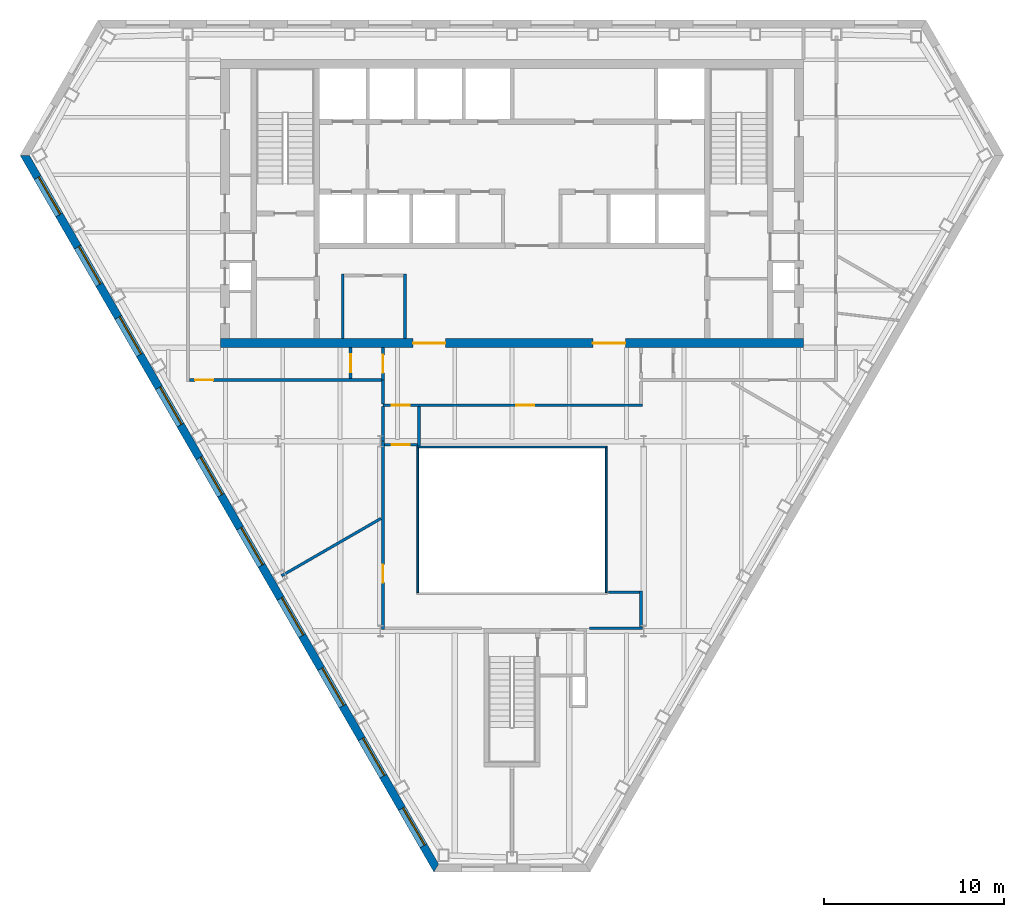
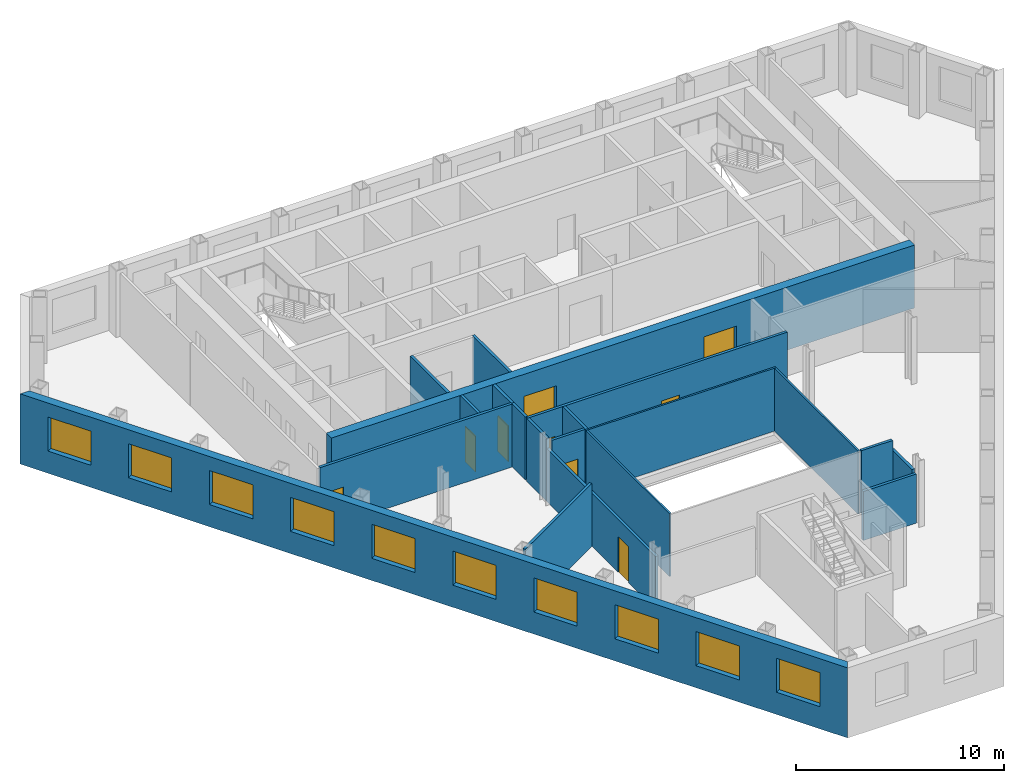
# One storey, part 4 of 10: 20 walls, 10 windows, 9 doors, 19 openings.
"""IFC4 building model written with IfcOpenShell, lengths in metres."""

from ifc_helpers import new_model, si_unit, direction, frame, frame_2d, origin, place, context, subcontext, project, spatial, polyline, rectangle, outline, extrude, material, layer, layer_set, type_object, element, fill, save


model = new_model("IFC4")

# Units and contexts
model_context = context("Model", 3, precision=1e-05, world=origin(), true_north=direction((0.0, 1.0)))
body_context = subcontext(model_context, "Body", "Model", "MODEL_VIEW")
ifc_project = project(units=[si_unit("LENGTHUNIT", "METRE"), si_unit("AREAUNIT", "SQUARE_METRE"), si_unit("VOLUMEUNIT", "CUBIC_METRE"), si_unit("PLANEANGLEUNIT", "RADIAN"), si_unit("MASSUNIT", "GRAM", prefix="KILO")], contexts=[model_context])

# Site, building, storey
site_placement = place(None, origin())
site = spatial("IfcSite", under=ifc_project, at=site_placement, CompositionType="ELEMENT")
building_placement = place(site_placement, origin())
building = spatial("IfcBuilding", under=site, at=building_placement, Name="Njiva Tower", CompositionType="ELEMENT")
storey_placement = place(building_placement, frame((0.0, 0.0, 159.3)))
storey = spatial("IfcBuildingStorey", under=building, at=storey_placement, Name="L34", CompositionType="ELEMENT", Elevation=159.3)

# Walls
ifc_material_1 = material(Name="Blockwork", Category="masonry")
ifc_layer_1 = layer(ifc_material_1, 0.15)
ifc_layer_set_1 = layer_set([ifc_layer_1], Name="Blockwork")
wall_type_1 = type_object("IfcWallType", Name="WT1 Compartment partition 150", PredefinedType="PARTITIONING", material=ifc_layer_set_1)
for number, where, z_axis, x_axis, name in (
    (1, (-9.4, 2.5, 0.0), (0.0, 0.0, 1.0), (0.0, 1.0, 0.0), "Information office wall west"),
    (2, (-5.95, 2.5, 0.0), (0.0, 0.0, 1.0), (0.0, 1.0, 0.0), "Information office wall east"),
):
    element("IfcWall", number, at=place(storey_placement, frame(where, z_axis=z_axis, x_axis=x_axis)), inside=storey, type_object=wall_type_1, Name=name, PredefinedType="PARTITIONING", context=body_context, shape_type="SweptSolid", body=[
        extrude(rectangle(XDim=3.575, YDim=0.15, at=frame_2d((1.7875, 0.0))), origin(), (0.0, 0.0, 1.0), 3.7),
    ])

# Wall, openings, doors
ifc_material_2 = material(Name="Concrete C60/75", Category="concrete")
ifc_layer_2 = layer(ifc_material_2, 0.5)
ifc_layer_set_2 = layer_set([ifc_layer_2], Name="Concrete C60/75")
wall_type_2 = type_object("IfcWallType", Name="WT13 Core wall 500", PredefinedType="SHEAR", material=ifc_layer_set_2)
wall_1_placement = place(storey_placement, frame((-16.2, 2.25, 0.0), z_axis=(0.0, 0.0, 1.0), x_axis=(1.0, 0.0, 0.0)))
wall_1 = element("IfcWall", 3, at=wall_1_placement, inside=storey, type_object=wall_type_2, Name="Core wall south", PredefinedType="SHEAR", context=body_context, shape_type="SweptSolid", body=[
    extrude(rectangle(XDim=32.4, YDim=0.5, at=frame_2d((16.2, 0.0))), origin(), (0.0, 0.0, 1.0), 3.7),
])
opening_1_placement = place(wall_1_placement, frame((10.7, 0.0, 0.0)))
opening_1 = element("IfcOpeningElement", 4, at=opening_1_placement, cuts=wall_1, Name="Opening S11-D934", PredefinedType="OPENING", context=body_context, shape_type="SweptSolid", body=[
    extrude(rectangle(XDim=1.8, YDim=2.4, at=frame_2d((0.9, 1.2))), frame((0.0, 0.26, 0.0), z_axis=(0.0, -1.0, 0.0), x_axis=(1.0, 0.0, 0.0)), (0.0, 0.0, 1.0), 0.52),
])
opening_2_placement = place(wall_1_placement, frame((20.7, 0.0, 0.0)))
opening_2 = element("IfcOpeningElement", 5, at=opening_2_placement, cuts=wall_1, Name="Opening S11-D935", PredefinedType="OPENING", context=body_context, shape_type="SweptSolid", body=[
    extrude(rectangle(XDim=1.8, YDim=2.4, at=frame_2d((0.9, 1.2))), frame((0.0, 0.26, 0.0), z_axis=(0.0, -1.0, 0.0), x_axis=(1.0, 0.0, 0.0)), (0.0, 0.0, 1.0), 0.52),
])
ifc_material_3 = material(Name="Steel and glass door", Category="steel")
door_type_1 = type_object("IfcDoorType", Name="D3 Core entrance door 1800x2400", OperationType="DOUBLE_DOOR_SINGLE_SWING", PredefinedType="DOOR", material=ifc_material_3)
door_1_placement = place(opening_1_placement, origin())
door_1 = element("IfcDoor", 6, at=door_1_placement, inside=storey, type_object=door_type_1, Name="Core entrance door", OperationType="DOUBLE_DOOR_SINGLE_SWING", OverallHeight=2.4, OverallWidth=1.8, PredefinedType="DOOR", context=body_context, shape_type="SweptSolid", body=[
    extrude(rectangle(XDim=1.8, YDim=2.4, at=frame_2d((0.9, 1.2))), frame((0.0, 0.025, 0.0), z_axis=(0.0, -1.0, 0.0), x_axis=(1.0, 0.0, 0.0)), (0.0, 0.0, 1.0), 0.05),
])
fill(opening_1, door_1)
door_2_placement = place(opening_2_placement, origin())
door_2 = element("IfcDoor", 7, at=door_2_placement, inside=storey, type_object=door_type_1, Name="Core entrance door", OperationType="DOUBLE_DOOR_SINGLE_SWING", OverallHeight=2.4, OverallWidth=1.8, PredefinedType="DOOR", context=body_context, shape_type="SweptSolid", body=[
    extrude(rectangle(XDim=1.8, YDim=2.4, at=frame_2d((0.9, 1.2))), frame((0.0, 0.025, 0.0), z_axis=(0.0, -1.0, 0.0), x_axis=(1.0, 0.0, 0.0)), (0.0, 0.0, 1.0), 0.05),
])
fill(opening_2, door_2)

# Wall, opening, door
ifc_material_4 = material(Name="Gypsum board on steel studs", Category="gypsum")
ifc_layer_3 = layer(ifc_material_4, 0.15)
ifc_layer_set_3 = layer_set([ifc_layer_3], Name="Gypsum board on steel studs")
wall_type_3 = type_object("IfcWallType", Name="WT21 Compartment wall 150", PredefinedType="PARTITIONING", material=ifc_layer_set_3)
wall_2_placement = place(storey_placement, frame((-17.925, 0.2, 0.0), z_axis=(0.0, 0.0, 1.0), x_axis=(1.0, 0.0, 0.0)))
wall_2 = element("IfcWall", 8, at=wall_2_placement, inside=storey, type_object=wall_type_3, Name="Partition S11-P004", PredefinedType="PARTITIONING", context=body_context, shape_type="SweptSolid", body=[
    extrude(rectangle(XDim=10.68, YDim=0.15, at=frame_2d((5.34, 0.0))), origin(), (0.0, 0.0, 1.0), 3.7),
])
opening_3_placement = place(wall_2_placement, frame((0.312, 0.0, 0.0)))
opening_3 = element("IfcOpeningElement", 9, at=opening_3_placement, cuts=wall_2, Name="Opening S11-D002", PredefinedType="OPENING", context=body_context, shape_type="SweptSolid", body=[
    extrude(rectangle(XDim=1.0, YDim=2.1, at=frame_2d((0.5, 1.05))), frame((0.0, 0.085, 0.0), z_axis=(0.0, -1.0, 0.0), x_axis=(1.0, 0.0, 0.0)), (0.0, 0.0, 1.0), 0.17),
])
ifc_material_5 = material(Name="Steel fire door set", Category="steel")
door_type_2 = type_object("IfcDoorType", Name="D37 Fire door 1000x2100", OperationType="SINGLE_SWING_LEFT", PredefinedType="DOOR", material=ifc_material_5)
door_3_placement = place(opening_3_placement, origin())
door_3 = element("IfcDoor", 10, at=door_3_placement, inside=storey, type_object=door_type_2, Name="Door S11-D002", OperationType="SINGLE_SWING_LEFT", OverallHeight=2.1, OverallWidth=1.0, PredefinedType="DOOR", context=body_context, shape_type="SweptSolid", body=[
    extrude(rectangle(XDim=1.0, YDim=2.1, at=frame_2d((0.5, 1.05))), frame((0.0, 0.025, 0.0), z_axis=(0.0, -1.0, 0.0), x_axis=(1.0, 0.0, 0.0)), (0.0, 0.0, 1.0), 0.05),
])
fill(opening_3, door_3)

# Wall
wall_3_placement = place(storey_placement, frame((-12.805, -10.684, 0.0), z_axis=(0.0, 0.0, 1.0), x_axis=(0.866073306909, 0.499917020175, 0.0)))
element("IfcWall", 11, at=wall_3_placement, inside=storey, type_object=wall_type_3, Name="Partition S11-P005", PredefinedType="PARTITIONING", context=body_context, shape_type="SweptSolid", body=[
    extrude(rectangle(XDim=6.3771, YDim=0.15, at=frame_2d((3.1886, 0.0))), origin(), (0.0, 0.0, 1.0), 3.7),
])

# Wall, opening, door
wall_4_placement = place(storey_placement, frame((-8.97, 0.275, 0.0), z_axis=(0.0, 0.0, 1.0), x_axis=(0.0, 1.0, 0.0)))
wall_4 = element("IfcWall", 12, at=wall_4_placement, inside=storey, type_object=wall_type_3, Name="Partition S11-P006", PredefinedType="PARTITIONING", context=body_context, shape_type="SweptSolid", body=[
    extrude(rectangle(XDim=1.725, YDim=0.15, at=frame_2d((0.8625, 0.0))), origin(), (0.0, 0.0, 1.0), 3.7),
])
opening_4_placement = place(wall_4_placement, frame((0.363, 0.0, 0.0)))
opening_4 = element("IfcOpeningElement", 13, at=opening_4_placement, cuts=wall_4, Name="Opening S11-D003", PredefinedType="OPENING", context=body_context, shape_type="SweptSolid", body=[
    extrude(rectangle(XDim=1.0, YDim=2.1, at=frame_2d((0.5, 1.05))), frame((0.0, 0.085, 0.0), z_axis=(0.0, -1.0, 0.0), x_axis=(1.0, 0.0, 0.0)), (0.0, 0.0, 1.0), 0.17),
])
door_4_placement = place(opening_4_placement, origin())
door_4 = element("IfcDoor", 14, at=door_4_placement, inside=storey, type_object=door_type_2, Name="Door S11-D003", OperationType="SINGLE_SWING_LEFT", OverallHeight=2.1, OverallWidth=1.0, PredefinedType="DOOR", context=body_context, shape_type="SweptSolid", body=[
    extrude(rectangle(XDim=1.0, YDim=2.1, at=frame_2d((0.5, 1.05))), frame((0.0, 0.025, 0.0), z_axis=(0.0, -1.0, 0.0), x_axis=(1.0, 0.0, 0.0)), (0.0, 0.0, 1.0), 0.05),
])
fill(opening_4, door_4)

wall_5_placement = place(storey_placement, frame((-7.17, -13.675, 0.0), z_axis=(0.0, 0.0, 1.0), x_axis=(0.0, 1.0, 0.0)))
wall_5 = element("IfcWall", 15, at=wall_5_placement, inside=storey, type_object=wall_type_3, Name="Partition S11-P007", PredefinedType="PARTITIONING", context=body_context, shape_type="SweptSolid", body=[
    extrude(rectangle(XDim=10.475, YDim=0.15, at=frame_2d((5.2375, 0.0))), origin(), (0.0, 0.0, 1.0), 3.11),
])
opening_5_placement = place(wall_5_placement, frame((2.608, 0.0, 0.0)))
opening_5 = element("IfcOpeningElement", 16, at=opening_5_placement, cuts=wall_5, Name="Opening S11-D004", PredefinedType="OPENING", context=body_context, shape_type="SweptSolid", body=[
    extrude(rectangle(XDim=1.0, YDim=2.1, at=frame_2d((0.5, 1.05))), frame((0.0, 0.085, 0.0), z_axis=(0.0, -1.0, 0.0), x_axis=(1.0, 0.0, 0.0)), (0.0, 0.0, 1.0), 0.17),
])
door_5_placement = place(opening_5_placement, origin())
door_5 = element("IfcDoor", 17, at=door_5_placement, inside=storey, type_object=door_type_2, Name="Door S11-D004", OperationType="SINGLE_SWING_RIGHT", OverallHeight=2.1, OverallWidth=1.0, PredefinedType="DOOR", context=body_context, shape_type="SweptSolid", body=[
    extrude(rectangle(XDim=1.0, YDim=2.1, at=frame_2d((0.5, 1.05))), frame((0.0, 0.025, 0.0), z_axis=(0.0, -1.0, 0.0), x_axis=(1.0, 0.0, 0.0)), (0.0, 0.0, 1.0), 0.05),
])
fill(opening_5, door_5)

# Wall
wall_6_placement = place(storey_placement, frame((-7.17, -3.2, 0.0), z_axis=(0.0, 0.0, 1.0), x_axis=(0.0, 1.0, 0.0)))
element("IfcWall", 18, at=wall_6_placement, inside=storey, type_object=wall_type_3, Name="Partition S11-P007A", PredefinedType="PARTITIONING", context=body_context, shape_type="SweptSolid", body=[
    extrude(rectangle(XDim=1.925, YDim=0.15, at=frame_2d((0.9625, 0.0))), origin(), (0.0, 0.0, 1.0), 3.7),
])

# Wall, openings, doors
wall_7_placement = place(storey_placement, frame((-7.17, -1.2, 0.0), z_axis=(0.0, 0.0, 1.0), x_axis=(1.0, 0.0, 0.0)))
wall_7 = element("IfcWall", 19, at=wall_7_placement, inside=storey, type_object=wall_type_3, Name="Partition S11-P008", PredefinedType="PARTITIONING", context=body_context, shape_type="SweptSolid", body=[
    extrude(rectangle(XDim=14.415, YDim=0.15, at=frame_2d((7.2075, 0.0))), origin(), (0.0, 0.0, 1.0), 3.7),
])
opening_6_placement = place(wall_7_placement, frame((0.5, 0.0, 0.0)))
opening_6 = element("IfcOpeningElement", 20, at=opening_6_placement, cuts=wall_7, Name="Opening S11-D005", PredefinedType="OPENING", context=body_context, shape_type="SweptSolid", body=[
    extrude(rectangle(XDim=1.0, YDim=2.1, at=frame_2d((0.5, 1.05))), frame((0.0, 0.085, 0.0), z_axis=(0.0, -1.0, 0.0), x_axis=(1.0, 0.0, 0.0)), (0.0, 0.0, 1.0), 0.17),
])
opening_7_placement = place(wall_7_placement, frame((7.42, 0.0, 0.0)))
opening_7 = element("IfcOpeningElement", 21, at=opening_7_placement, cuts=wall_7, Name="Opening S11-D006", PredefinedType="OPENING", context=body_context, shape_type="SweptSolid", body=[
    extrude(rectangle(XDim=1.0, YDim=2.1, at=frame_2d((0.5, 1.05))), frame((0.0, 0.085, 0.0), z_axis=(0.0, -1.0, 0.0), x_axis=(1.0, 0.0, 0.0)), (0.0, 0.0, 1.0), 0.17),
])
door_6_placement = place(opening_6_placement, origin())
door_6 = element("IfcDoor", 22, at=door_6_placement, inside=storey, type_object=door_type_2, Name="Door S11-D005", OperationType="SINGLE_SWING_RIGHT", OverallHeight=2.1, OverallWidth=1.0, PredefinedType="DOOR", context=body_context, shape_type="SweptSolid", body=[
    extrude(rectangle(XDim=1.0, YDim=2.1, at=frame_2d((0.5, 1.05))), frame((0.0, 0.025, 0.0), z_axis=(0.0, -1.0, 0.0), x_axis=(1.0, 0.0, 0.0)), (0.0, 0.0, 1.0), 0.05),
])
fill(opening_6, door_6)
door_7_placement = place(opening_7_placement, origin())
door_7 = element("IfcDoor", 23, at=door_7_placement, inside=storey, type_object=door_type_2, Name="Door S11-D006", OperationType="SINGLE_SWING_RIGHT", OverallHeight=2.1, OverallWidth=1.0, PredefinedType="DOOR", context=body_context, shape_type="SweptSolid", body=[
    extrude(rectangle(XDim=1.0, YDim=2.1, at=frame_2d((0.5, 1.05))), frame((0.0, 0.025, 0.0), z_axis=(0.0, -1.0, 0.0), x_axis=(1.0, 0.0, 0.0)), (0.0, 0.0, 1.0), 0.05),
])
fill(opening_7, door_7)

# Wall
wall_8_placement = place(storey_placement, frame((-7.17, -1.125, 0.0), z_axis=(0.0, 0.0, 1.0), x_axis=(0.0, 1.0, 0.0)))
element("IfcWall", 24, at=wall_8_placement, inside=storey, type_object=wall_type_3, Name="Partition S11-P009", PredefinedType="PARTITIONING", context=body_context, shape_type="SweptSolid", body=[
    extrude(rectangle(XDim=1.322, YDim=0.15, at=frame_2d((0.661, 0.0))), origin(), (0.0, 0.0, 1.0), 3.7),
])

# Wall, opening, door
wall_9_placement = place(storey_placement, frame((-7.17, 0.2, 0.0), z_axis=(0.0, 0.0, 1.0), x_axis=(0.0, 1.0, 0.0)))
wall_9 = element("IfcWall", 25, at=wall_9_placement, inside=storey, type_object=wall_type_3, Name="Partition S11-P010", PredefinedType="PARTITIONING", context=body_context, shape_type="SweptSolid", body=[
    extrude(rectangle(XDim=1.8, YDim=0.15, at=frame_2d((0.9, 0.0))), origin(), (0.0, 0.0, 1.0), 3.7),
])
opening_8_placement = place(wall_9_placement, frame((0.4, 0.0, 0.0)))
opening_8 = element("IfcOpeningElement", 26, at=opening_8_placement, cuts=wall_9, Name="Opening S11-D007", PredefinedType="OPENING", context=body_context, shape_type="SweptSolid", body=[
    extrude(rectangle(XDim=1.0, YDim=2.1, at=frame_2d((0.5, 1.05))), frame((0.0, 0.085, 0.0), z_axis=(0.0, -1.0, 0.0), x_axis=(1.0, 0.0, 0.0)), (0.0, 0.0, 1.0), 0.17),
])
door_8_placement = place(opening_8_placement, origin())
door_8 = element("IfcDoor", 27, at=door_8_placement, inside=storey, type_object=door_type_2, Name="Door S11-D007", OperationType="SINGLE_SWING_LEFT", OverallHeight=2.1, OverallWidth=1.0, PredefinedType="DOOR", context=body_context, shape_type="SweptSolid", body=[
    extrude(rectangle(XDim=1.0, YDim=2.1, at=frame_2d((0.5, 1.05))), frame((0.0, 0.025, 0.0), z_axis=(0.0, -1.0, 0.0), x_axis=(1.0, 0.0, 0.0)), (0.0, 0.0, 1.0), 0.05),
])
fill(opening_8, door_8)

wall_10_placement = place(storey_placement, frame((-7.095, -3.4, 0.0), z_axis=(0.0, 0.0, 1.0), x_axis=(1.0, 0.0, 0.0)))
wall_10 = element("IfcWall", 28, at=wall_10_placement, inside=storey, type_object=wall_type_3, Name="Partition S11-P012", PredefinedType="PARTITIONING", context=body_context, shape_type="SweptSolid", body=[
    extrude(rectangle(XDim=1.85, YDim=0.15, at=frame_2d((0.925, 0.0))), origin(), (0.0, 0.0, 1.0), 3.7),
])
opening_9_placement = place(wall_10_placement, frame((0.425, 0.0, 0.0)))
opening_9 = element("IfcOpeningElement", 29, at=opening_9_placement, cuts=wall_10, Name="Opening S11-D008", PredefinedType="OPENING", context=body_context, shape_type="SweptSolid", body=[
    extrude(rectangle(XDim=1.0, YDim=2.1, at=frame_2d((0.5, 1.05))), frame((0.0, 0.085, 0.0), z_axis=(0.0, -1.0, 0.0), x_axis=(1.0, 0.0, 0.0)), (0.0, 0.0, 1.0), 0.17),
])
door_9_placement = place(opening_9_placement, origin())
door_9 = element("IfcDoor", 30, at=door_9_placement, inside=storey, type_object=door_type_2, Name="Door S11-D008", OperationType="SINGLE_SWING_LEFT", OverallHeight=2.1, OverallWidth=1.0, PredefinedType="DOOR", context=body_context, shape_type="SweptSolid", body=[
    extrude(rectangle(XDim=1.0, YDim=2.1, at=frame_2d((0.5, 1.05))), frame((0.0, 0.025, 0.0), z_axis=(0.0, -1.0, 0.0), x_axis=(1.0, 0.0, 0.0)), (0.0, 0.0, 1.0), 0.05),
])
fill(opening_9, door_9)

# Walls
wall_11_placement = place(storey_placement, frame((-5.17, -3.48, 0.0), z_axis=(0.0, 0.0, 1.0), x_axis=(0.0, 1.0, 0.0)))
element("IfcWall", 31, at=wall_11_placement, inside=storey, type_object=wall_type_3, Name="Partition S11-P013", PredefinedType="PARTITIONING", context=body_context, shape_type="SweptSolid", body=[
    extrude(rectangle(XDim=2.205, YDim=0.15, at=frame_2d((1.1025, 0.0))), origin(), (0.0, 0.0, 1.0), 3.7),
])
wall_12_placement = place(storey_placement, frame((4.3, -13.6, 0.0), z_axis=(0.0, 0.0, 1.0), x_axis=(1.0, 0.0, 0.0)))
element("IfcWall", 32, at=wall_12_placement, inside=storey, type_object=wall_type_3, Name="Partition S11-P015", PredefinedType="PARTITIONING", context=body_context, shape_type="SweptSolid", body=[
    extrude(rectangle(XDim=2.945, YDim=0.15, at=frame_2d((1.4725, 0.0))), origin(), (0.0, 0.0, 1.0), 2.886),
])
wall_13_placement = place(storey_placement, frame((5.355, -11.6, 0.0), z_axis=(0.0, 0.0, 1.0), x_axis=(1.0, 0.0, 0.0)))
element("IfcWall", 33, at=wall_13_placement, inside=storey, type_object=wall_type_3, Name="Partition S11-P016", PredefinedType="PARTITIONING", context=body_context, shape_type="SweptSolid", body=[
    extrude(rectangle(XDim=1.74, YDim=0.15, at=frame_2d((0.87, 0.0))), origin(), (0.0, 0.0, 1.0), 3.7),
])
wall_14_placement = place(storey_placement, frame((7.17, -13.525, 0.0), z_axis=(0.0, 0.0, 1.0), x_axis=(0.0, 1.0, 0.0)))
element("IfcWall", 34, at=wall_14_placement, inside=storey, type_object=wall_type_3, Name="Partition S11-P017", PredefinedType="PARTITIONING", context=body_context, shape_type="SweptSolid", body=[
    extrude(rectangle(XDim=2.0, YDim=0.15, at=frame_2d((1.0, 0.0))), origin(), (0.0, 0.0, 1.0), 3.11),
])

# Wall, openings, windows
ifc_material_6 = material(Name="Brick masonry", Category="masonry")
ifc_layer_4 = layer(ifc_material_6, 0.45)
ifc_layer_set_4 = layer_set([ifc_layer_4], Name="Brick masonry")
wall_type_4 = type_object("IfcWallType", Name="WT90 Brick pier and spandrel wall 450", PredefinedType="SOLIDWALL", material=ifc_layer_set_4)
wall_15_placement = place(storey_placement, frame((-27.0752, 12.6829, -0.4), z_axis=(0.0, 0.0, 1.0), x_axis=(0.500000141277, -0.866025322218, 0.0)))
wall_15 = element("IfcWall", 35, at=wall_15_placement, inside=storey, type_object=wall_type_4, Name="Facade wall SW", PredefinedType="SOLIDWALL", context=body_context, shape_type="SweptSolid", body=[
    extrude(outline(polyline([(-0.1299, -0.225), (45.8601, -0.225), (45.6003, 0.225), (0.1299, 0.225), (-0.1299, -0.225)])), origin(), (0.0, 0.0, 1.0), 4.12),
])
opening_10_placement = place(wall_15_placement, frame((1.4237, 0.0, 1.3)))
opening_10 = element("IfcOpeningElement", 36, at=opening_10_placement, cuts=wall_15, Name="Opening S11-W12", PredefinedType="OPENING", context=body_context, shape_type="SweptSolid", body=[
    extrude(rectangle(XDim=2.4, YDim=2.0, at=frame_2d((1.2, 1.0))), frame((0.0, 0.235, 0.0), z_axis=(0.0, -1.0, 0.0), x_axis=(1.0, 0.0, 0.0)), (0.0, 0.0, 1.0), 0.47),
])
opening_11_placement = place(wall_15_placement, frame((5.8919, 0.0, 1.3)))
opening_11 = element("IfcOpeningElement", 37, at=opening_11_placement, cuts=wall_15, Name="Opening S11-W13", PredefinedType="OPENING", context=body_context, shape_type="SweptSolid", body=[
    extrude(rectangle(XDim=2.4, YDim=2.0, at=frame_2d((1.2, 1.0))), frame((0.0, 0.235, 0.0), z_axis=(0.0, -1.0, 0.0), x_axis=(1.0, 0.0, 0.0)), (0.0, 0.0, 1.0), 0.47),
])
opening_12_placement = place(wall_15_placement, frame((10.3985, 0.0, 1.3)))
opening_12 = element("IfcOpeningElement", 38, at=opening_12_placement, cuts=wall_15, Name="Opening S11-W14", PredefinedType="OPENING", context=body_context, shape_type="SweptSolid", body=[
    extrude(rectangle(XDim=2.4, YDim=2.0, at=frame_2d((1.2, 1.0))), frame((0.0, 0.235, 0.0), z_axis=(0.0, -1.0, 0.0), x_axis=(1.0, 0.0, 0.0)), (0.0, 0.0, 1.0), 0.47),
])
opening_13_placement = place(wall_15_placement, frame((14.9052, 0.0, 1.3)))
opening_13 = element("IfcOpeningElement", 39, at=opening_13_placement, cuts=wall_15, Name="Opening S11-W15", PredefinedType="OPENING", context=body_context, shape_type="SweptSolid", body=[
    extrude(rectangle(XDim=2.4, YDim=2.0, at=frame_2d((1.2, 1.0))), frame((0.0, 0.235, 0.0), z_axis=(0.0, -1.0, 0.0), x_axis=(1.0, 0.0, 0.0)), (0.0, 0.0, 1.0), 0.47),
])
opening_14_placement = place(wall_15_placement, frame((19.4118, 0.0, 1.3)))
opening_14 = element("IfcOpeningElement", 40, at=opening_14_placement, cuts=wall_15, Name="Opening S11-W16", PredefinedType="OPENING", context=body_context, shape_type="SweptSolid", body=[
    extrude(rectangle(XDim=2.4, YDim=2.0, at=frame_2d((1.2, 1.0))), frame((0.0, 0.235, 0.0), z_axis=(0.0, -1.0, 0.0), x_axis=(1.0, 0.0, 0.0)), (0.0, 0.0, 1.0), 0.47),
])
opening_15_placement = place(wall_15_placement, frame((23.9184, 0.0, 1.3)))
opening_15 = element("IfcOpeningElement", 41, at=opening_15_placement, cuts=wall_15, Name="Opening S11-W17", PredefinedType="OPENING", context=body_context, shape_type="SweptSolid", body=[
    extrude(rectangle(XDim=2.4, YDim=2.0, at=frame_2d((1.2, 1.0))), frame((0.0, 0.235, 0.0), z_axis=(0.0, -1.0, 0.0), x_axis=(1.0, 0.0, 0.0)), (0.0, 0.0, 1.0), 0.47),
])
opening_16_placement = place(wall_15_placement, frame((28.425, 0.0, 1.3)))
opening_16 = element("IfcOpeningElement", 42, at=opening_16_placement, cuts=wall_15, Name="Opening S11-W18", PredefinedType="OPENING", context=body_context, shape_type="SweptSolid", body=[
    extrude(rectangle(XDim=2.4, YDim=2.0, at=frame_2d((1.2, 1.0))), frame((0.0, 0.235, 0.0), z_axis=(0.0, -1.0, 0.0), x_axis=(1.0, 0.0, 0.0)), (0.0, 0.0, 1.0), 0.47),
])
opening_17_placement = place(wall_15_placement, frame((32.9316, 0.0, 1.3)))
opening_17 = element("IfcOpeningElement", 43, at=opening_17_placement, cuts=wall_15, Name="Opening S11-W19", PredefinedType="OPENING", context=body_context, shape_type="SweptSolid", body=[
    extrude(rectangle(XDim=2.4, YDim=2.0, at=frame_2d((1.2, 1.0))), frame((0.0, 0.235, 0.0), z_axis=(0.0, -1.0, 0.0), x_axis=(1.0, 0.0, 0.0)), (0.0, 0.0, 1.0), 0.47),
])
opening_18_placement = place(wall_15_placement, frame((37.4383, 0.0, 1.3)))
opening_18 = element("IfcOpeningElement", 44, at=opening_18_placement, cuts=wall_15, Name="Opening S11-W20", PredefinedType="OPENING", context=body_context, shape_type="SweptSolid", body=[
    extrude(rectangle(XDim=2.4, YDim=2.0, at=frame_2d((1.2, 1.0))), frame((0.0, 0.235, 0.0), z_axis=(0.0, -1.0, 0.0), x_axis=(1.0, 0.0, 0.0)), (0.0, 0.0, 1.0), 0.47),
])
opening_19_placement = place(wall_15_placement, frame((41.9065, 0.0, 1.3)))
opening_19 = element("IfcOpeningElement", 45, at=opening_19_placement, cuts=wall_15, Name="Opening S11-W21", PredefinedType="OPENING", context=body_context, shape_type="SweptSolid", body=[
    extrude(rectangle(XDim=2.4, YDim=2.0, at=frame_2d((1.2, 1.0))), frame((0.0, 0.235, 0.0), z_axis=(0.0, -1.0, 0.0), x_axis=(1.0, 0.0, 0.0)), (0.0, 0.0, 1.0), 0.47),
])
ifc_material_7 = material(Name="Clear glazing in aluminium frame", Category="aluminium")
window_type = type_object("IfcWindowType", Name="W90 Deep-set window 2400x2000", PartitioningType="SINGLE_PANEL", PredefinedType="WINDOW", material=ifc_material_7)
window_1_placement = place(opening_10_placement, origin())
window_1 = element("IfcWindow", 46, at=window_1_placement, inside=storey, type_object=window_type, Name="Window", OverallHeight=2.0, OverallWidth=2.4, PartitioningType="SINGLE_PANEL", PredefinedType="WINDOW", context=body_context, shape_type="SweptSolid", body=[
    extrude(rectangle(XDim=2.4, YDim=2.0, at=frame_2d((1.2, 1.0))), frame((0.0, 0.105, 0.0), z_axis=(0.0, -1.0, 0.0), x_axis=(1.0, 0.0, 0.0)), (0.0, 0.0, 1.0), 0.06),
])
fill(opening_10, window_1)
window_2_placement = place(opening_11_placement, origin())
window_2 = element("IfcWindow", 47, at=window_2_placement, inside=storey, type_object=window_type, Name="Window", OverallHeight=2.0, OverallWidth=2.4, PartitioningType="SINGLE_PANEL", PredefinedType="WINDOW", context=body_context, shape_type="SweptSolid", body=[
    extrude(rectangle(XDim=2.4, YDim=2.0, at=frame_2d((1.2, 1.0))), frame((0.0, 0.105, 0.0), z_axis=(0.0, -1.0, 0.0), x_axis=(1.0, 0.0, 0.0)), (0.0, 0.0, 1.0), 0.06),
])
fill(opening_11, window_2)
window_3_placement = place(opening_12_placement, origin())
window_3 = element("IfcWindow", 48, at=window_3_placement, inside=storey, type_object=window_type, Name="Window", OverallHeight=2.0, OverallWidth=2.4, PartitioningType="SINGLE_PANEL", PredefinedType="WINDOW", context=body_context, shape_type="SweptSolid", body=[
    extrude(rectangle(XDim=2.4, YDim=2.0, at=frame_2d((1.2, 1.0))), frame((0.0, 0.105, 0.0), z_axis=(0.0, -1.0, 0.0), x_axis=(1.0, 0.0, 0.0)), (0.0, 0.0, 1.0), 0.06),
])
fill(opening_12, window_3)
window_4_placement = place(opening_13_placement, origin())
window_4 = element("IfcWindow", 49, at=window_4_placement, inside=storey, type_object=window_type, Name="Window", OverallHeight=2.0, OverallWidth=2.4, PartitioningType="SINGLE_PANEL", PredefinedType="WINDOW", context=body_context, shape_type="SweptSolid", body=[
    extrude(rectangle(XDim=2.4, YDim=2.0, at=frame_2d((1.2, 1.0))), frame((0.0, 0.105, 0.0), z_axis=(0.0, -1.0, 0.0), x_axis=(1.0, 0.0, 0.0)), (0.0, 0.0, 1.0), 0.06),
])
fill(opening_13, window_4)
window_5_placement = place(opening_14_placement, origin())
window_5 = element("IfcWindow", 50, at=window_5_placement, inside=storey, type_object=window_type, Name="Window", OverallHeight=2.0, OverallWidth=2.4, PartitioningType="SINGLE_PANEL", PredefinedType="WINDOW", context=body_context, shape_type="SweptSolid", body=[
    extrude(rectangle(XDim=2.4, YDim=2.0, at=frame_2d((1.2, 1.0))), frame((0.0, 0.105, 0.0), z_axis=(0.0, -1.0, 0.0), x_axis=(1.0, 0.0, 0.0)), (0.0, 0.0, 1.0), 0.06),
])
fill(opening_14, window_5)
window_6_placement = place(opening_15_placement, origin())
window_6 = element("IfcWindow", 51, at=window_6_placement, inside=storey, type_object=window_type, Name="Window", OverallHeight=2.0, OverallWidth=2.4, PartitioningType="SINGLE_PANEL", PredefinedType="WINDOW", context=body_context, shape_type="SweptSolid", body=[
    extrude(rectangle(XDim=2.4, YDim=2.0, at=frame_2d((1.2, 1.0))), frame((0.0, 0.105, 0.0), z_axis=(0.0, -1.0, 0.0), x_axis=(1.0, 0.0, 0.0)), (0.0, 0.0, 1.0), 0.06),
])
fill(opening_15, window_6)
window_7_placement = place(opening_16_placement, origin())
window_7 = element("IfcWindow", 52, at=window_7_placement, inside=storey, type_object=window_type, Name="Window", OverallHeight=2.0, OverallWidth=2.4, PartitioningType="SINGLE_PANEL", PredefinedType="WINDOW", context=body_context, shape_type="SweptSolid", body=[
    extrude(rectangle(XDim=2.4, YDim=2.0, at=frame_2d((1.2, 1.0))), frame((0.0, 0.105, 0.0), z_axis=(0.0, -1.0, 0.0), x_axis=(1.0, 0.0, 0.0)), (0.0, 0.0, 1.0), 0.06),
])
fill(opening_16, window_7)
window_8_placement = place(opening_17_placement, origin())
window_8 = element("IfcWindow", 53, at=window_8_placement, inside=storey, type_object=window_type, Name="Window", OverallHeight=2.0, OverallWidth=2.4, PartitioningType="SINGLE_PANEL", PredefinedType="WINDOW", context=body_context, shape_type="SweptSolid", body=[
    extrude(rectangle(XDim=2.4, YDim=2.0, at=frame_2d((1.2, 1.0))), frame((0.0, 0.105, 0.0), z_axis=(0.0, -1.0, 0.0), x_axis=(1.0, 0.0, 0.0)), (0.0, 0.0, 1.0), 0.06),
])
fill(opening_17, window_8)
window_9_placement = place(opening_18_placement, origin())
window_9 = element("IfcWindow", 54, at=window_9_placement, inside=storey, type_object=window_type, Name="Window", OverallHeight=2.0, OverallWidth=2.4, PartitioningType="SINGLE_PANEL", PredefinedType="WINDOW", context=body_context, shape_type="SweptSolid", body=[
    extrude(rectangle(XDim=2.4, YDim=2.0, at=frame_2d((1.2, 1.0))), frame((0.0, 0.105, 0.0), z_axis=(0.0, -1.0, 0.0), x_axis=(1.0, 0.0, 0.0)), (0.0, 0.0, 1.0), 0.06),
])
fill(opening_18, window_9)
window_10_placement = place(opening_19_placement, origin())
window_10 = element("IfcWindow", 55, at=window_10_placement, inside=storey, type_object=window_type, Name="Window", OverallHeight=2.0, OverallWidth=2.4, PartitioningType="SINGLE_PANEL", PredefinedType="WINDOW", context=body_context, shape_type="SweptSolid", body=[
    extrude(rectangle(XDim=2.4, YDim=2.0, at=frame_2d((1.2, 1.0))), frame((0.0, 0.105, 0.0), z_axis=(0.0, -1.0, 0.0), x_axis=(1.0, 0.0, 0.0)), (0.0, 0.0, 1.0), 0.06),
])
fill(opening_19, window_10)

# Walls
ifc_material_8 = material(Name="Fire-resisting glazing EI 90", Category="glass")
ifc_layer_5 = layer(ifc_material_8, 0.1)
ifc_layer_set_5 = layer_set([ifc_layer_5], Name="Fire-resisting glazing EI 90")
wall_type_5 = type_object("IfcWallType", Name="WT95 Fire-resisting glazed screen EI 90", PredefinedType="PARTITIONING", material=ifc_layer_set_5)
wall_16_placement = place(storey_placement, frame((5.24, -11.62, 0.0), z_axis=(0.0, 0.0, 1.0), x_axis=(0.0, 1.0, 0.0)))
element("IfcWall", 56, at=wall_16_placement, inside=storey, type_object=wall_type_5, Name="Atrium fire screen east", PredefinedType="PARTITIONING", context=body_context, shape_type="SweptSolid", body=[
    extrude(rectangle(XDim=8.04, YDim=0.1, at=frame_2d((4.02, 0.0))), origin(), (0.0, 0.0, 1.0), 3.7),
])
wall_17_placement = place(storey_placement, frame((5.29, -3.53, 0.0), z_axis=(0.0, 0.0, 1.0), x_axis=(-1.0, 0.0, 0.0)))
element("IfcWall", 57, at=wall_17_placement, inside=storey, type_object=wall_type_5, Name="Atrium fire screen north", PredefinedType="PARTITIONING", context=body_context, shape_type="SweptSolid", body=[
    extrude(rectangle(XDim=10.58, YDim=0.1, at=frame_2d((5.29, 0.0))), origin(), (0.0, 0.0, 1.0), 3.7),
])
wall_18_placement = place(storey_placement, frame((-5.24, -3.58, 0.0), z_axis=(0.0, 0.0, 1.0), x_axis=(0.0, -1.0, 0.0)))
element("IfcWall", 58, at=wall_18_placement, inside=storey, type_object=wall_type_5, Name="Atrium fire screen west", PredefinedType="PARTITIONING", context=body_context, shape_type="SweptSolid", body=[
    extrude(rectangle(XDim=8.04, YDim=0.1, at=frame_2d((4.02, 0.0))), origin(), (0.0, 0.0, 1.0), 3.7),
])

save(model, "model.ifc")
